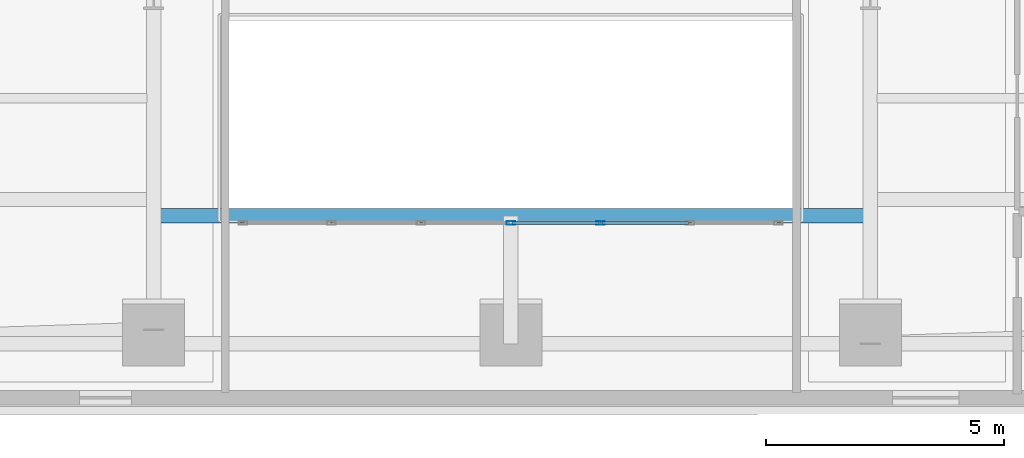
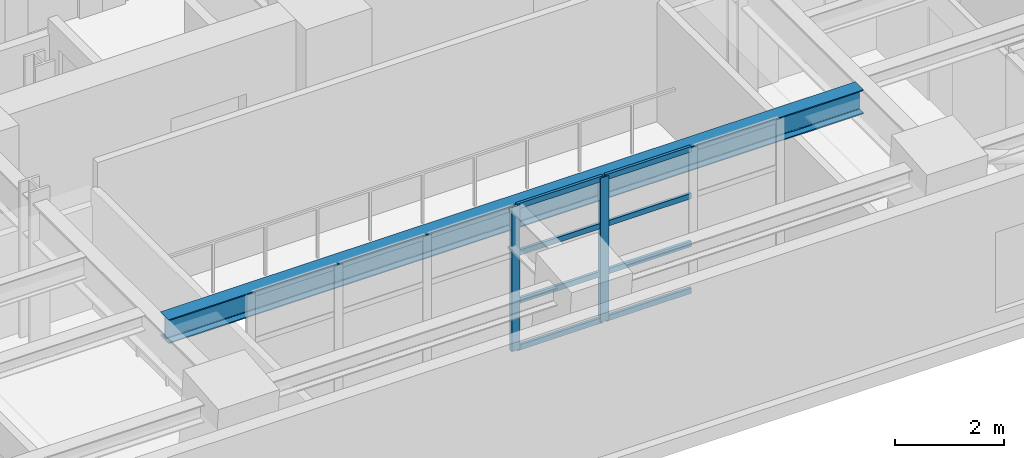
# One storey, part 3 of 16: 10 members, 1 beam, 1 element without a shape of its own.
"""IFC4 building model written with IfcOpenShell, lengths in metres."""

from ifc_helpers import new_model, si_unit, direction, frame, origin, origin_2d, place, context, subcontext, project, spatial, hollow_rectangle, i_section, extrude, material, layer, layer_set, material_profile, profile_set, type_object, element, aggregate, save


model = new_model("IFC4")

# Units and contexts
model_context = context("Model", 3, precision=1e-05, world=origin(), true_north=direction((0.0, 1.0)))
body_context = subcontext(model_context, "Body", "Model", "MODEL_VIEW")
ifc_project = project(units=[si_unit("LENGTHUNIT", "METRE"), si_unit("AREAUNIT", "SQUARE_METRE"), si_unit("VOLUMEUNIT", "CUBIC_METRE"), si_unit("PLANEANGLEUNIT", "RADIAN"), si_unit("MASSUNIT", "GRAM", prefix="KILO")], contexts=[model_context])

# Site, building, storey
site_placement = place(None, origin())
site = spatial("IfcSite", under=ifc_project, at=site_placement, CompositionType="ELEMENT")
building_placement = place(site_placement, origin())
building = spatial("IfcBuilding", under=site, at=building_placement, Name="Zarnavel Station Tower", CompositionType="ELEMENT")
storey_placement = place(building_placement, frame((0.0, 0.0, 86.300048828125)))
storey = spatial("IfcBuildingStorey", under=building, at=storey_placement, Name="L23", CompositionType="ELEMENT", Elevation=86.300048828125)

# Curtain wall, members
ifc_material_1 = material(Name="Aluminium Dark Anodised and Solar-Control Glass", Category="aluminium")
ifc_layer = layer(ifc_material_1, 0.179931640625)
ifc_layer_set = layer_set([ifc_layer], Name="CWS3")
curtain_wall_type = type_object("IfcCurtainWallType", Name="CWS3", PredefinedType="NOTDEFINED", material=ifc_layer_set)
curtain_wall_placement = place(storey_placement, origin())
curtain_wall = element("IfcCurtainWall", 1, at=curtain_wall_placement, inside=storey, type_object=curtain_wall_type, Name="L23 Curtain Wall CWS3-L23-AS", PredefinedType="NOTDEFINED")
ifc_material_2 = material(Name="Steel S355J2 (Black Fluoropolymer Coated)", Category="steel")
ifc_material_profile_1 = material_profile(ifc_material_2, hollow_rectangle(XDim=0.080078125, YDim=0.179931640625, WallThickness=0.00634765625, at=origin_2d()), Name="RHS180x80x6.3")
ifc_profile_set_1 = profile_set([ifc_material_profile_1], Name="Steel S355J2 (Black Fluoropolymer Coated)")
member_type_1 = type_object("IfcMemberType", Name="CWS3_MUL", PredefinedType="MULLION", material=ifc_profile_set_1)
member_1_placement = place(storey_placement, frame((28.800048828125, 20.64990234375, 0.0), z_axis=(0.0, 0.0, 1.0), x_axis=(0.0, 1.0, 0.0)))
member_1 = element("IfcMember", 2, at=member_1_placement, type_object=member_type_1, Name="CW3 mullion 4", PredefinedType="MULLION", context=body_context, shape_type="SweptSolid", body=[
    extrude(hollow_rectangle(XDim=0.080078125, YDim=0.179931640625, WallThickness=0.00634765625, at=origin_2d()), origin(), (0.0, 0.0, 1.0), 3.239990234375),
])
member_2_placement = place(storey_placement, frame((30.683349609375, 20.64990234375, 0.0), z_axis=(0.0, 0.0, 1.0), x_axis=(0.0, 1.0, 0.0)))
member_2 = element("IfcMember", 3, at=member_2_placement, type_object=member_type_1, Name="CW3 mullion 5", PredefinedType="MULLION", context=body_context, shape_type="SweptSolid", body=[
    extrude(hollow_rectangle(XDim=0.080078125, YDim=0.179931640625, WallThickness=0.00634765625, at=origin_2d()), origin(), (0.0, 0.0, 1.0), 3.239990234375),
])
ifc_material_3 = material(Name="Steel S355J2 (Black Fluoropolymer Coated)", Category="steel")
ifc_material_profile_2 = material_profile(ifc_material_3, hollow_rectangle(XDim=0.06005859375, YDim=0.1201171875, WallThickness=0.0048828125, at=origin_2d()), Name="RHS120x60x5")
ifc_profile_set_2 = profile_set([ifc_material_profile_2], Name="Steel S355J2 (Black Fluoropolymer Coated)")
member_type_2 = type_object("IfcMemberType", Name="CWS3_TRN", PredefinedType="USERDEFINED", material=ifc_profile_set_2)
member_3_placement = place(storey_placement, frame((28.830078125, 20.64990234375, 0.030029296875), z_axis=(1.0, 0.0, 0.0), x_axis=(0.0, 1.0, 0.0)))
member_3 = element("IfcMember", 4, at=member_3_placement, type_object=member_type_2, Name="CW3 transom 4.1", ObjectType="TRANSOM", PredefinedType="USERDEFINED", context=body_context, shape_type="SweptSolid", body=[
    extrude(hollow_rectangle(XDim=0.06005859375, YDim=0.1201171875, WallThickness=0.0048828125, at=origin_2d()), origin(), (0.0, 0.0, 1.0), 1.8232421875),
])
member_4_placement = place(storey_placement, frame((28.830078125, 20.64990234375, 1.079833984375), z_axis=(1.0, 0.0, 0.0), x_axis=(0.0, 1.0, 0.0)))
member_4 = element("IfcMember", 5, at=member_4_placement, type_object=member_type_2, Name="CW3 transom 4.2", ObjectType="TRANSOM", PredefinedType="USERDEFINED", context=body_context, shape_type="SweptSolid", body=[
    extrude(hollow_rectangle(XDim=0.06005859375, YDim=0.1201171875, WallThickness=0.0048828125, at=origin_2d()), origin(), (0.0, 0.0, 1.0), 1.8232421875),
])
member_5_placement = place(storey_placement, frame((28.830078125, 20.64990234375, 2.159912109375), z_axis=(1.0, 0.0, 0.0), x_axis=(0.0, 1.0, 0.0)))
member_5 = element("IfcMember", 6, at=member_5_placement, type_object=member_type_2, Name="CW3 transom 4.3", ObjectType="TRANSOM", PredefinedType="USERDEFINED", context=body_context, shape_type="SweptSolid", body=[
    extrude(hollow_rectangle(XDim=0.06005859375, YDim=0.1201171875, WallThickness=0.0048828125, at=origin_2d()), origin(), (0.0, 0.0, 1.0), 1.8232421875),
])
member_6_placement = place(storey_placement, frame((28.830078125, 20.64990234375, 3.2099609375), z_axis=(1.0, 0.0, 0.0), x_axis=(0.0, 1.0, 0.0)))
member_6 = element("IfcMember", 7, at=member_6_placement, type_object=member_type_2, Name="CW3 transom 4.4", ObjectType="TRANSOM", PredefinedType="USERDEFINED", context=body_context, shape_type="SweptSolid", body=[
    extrude(hollow_rectangle(XDim=0.06005859375, YDim=0.1201171875, WallThickness=0.0048828125, at=origin_2d()), origin(), (0.0, 0.0, 1.0), 1.8232421875),
])
member_7_placement = place(storey_placement, frame((30.71337890625, 20.64990234375, 0.030029296875), z_axis=(1.0, 0.0, 0.0), x_axis=(0.0, 1.0, 0.0)))
member_7 = element("IfcMember", 8, at=member_7_placement, type_object=member_type_2, Name="CW3 transom 5.1", ObjectType="TRANSOM", PredefinedType="USERDEFINED", context=body_context, shape_type="SweptSolid", body=[
    extrude(hollow_rectangle(XDim=0.06005859375, YDim=0.1201171875, WallThickness=0.0048828125, at=origin_2d()), origin(), (0.0, 0.0, 1.0), 1.8232421875),
])
member_8_placement = place(storey_placement, frame((30.71337890625, 20.64990234375, 1.079833984375), z_axis=(1.0, 0.0, 0.0), x_axis=(0.0, 1.0, 0.0)))
member_8 = element("IfcMember", 9, at=member_8_placement, type_object=member_type_2, Name="CW3 transom 5.2", ObjectType="TRANSOM", PredefinedType="USERDEFINED", context=body_context, shape_type="SweptSolid", body=[
    extrude(hollow_rectangle(XDim=0.06005859375, YDim=0.1201171875, WallThickness=0.0048828125, at=origin_2d()), origin(), (0.0, 0.0, 1.0), 1.8232421875),
])
member_9_placement = place(storey_placement, frame((30.71337890625, 20.64990234375, 2.159912109375), z_axis=(1.0, 0.0, 0.0), x_axis=(0.0, 1.0, 0.0)))
member_9 = element("IfcMember", 10, at=member_9_placement, type_object=member_type_2, Name="CW3 transom 5.3", ObjectType="TRANSOM", PredefinedType="USERDEFINED", context=body_context, shape_type="SweptSolid", body=[
    extrude(hollow_rectangle(XDim=0.06005859375, YDim=0.1201171875, WallThickness=0.0048828125, at=origin_2d()), origin(), (0.0, 0.0, 1.0), 1.8232421875),
])
member_10_placement = place(storey_placement, frame((30.71337890625, 20.64990234375, 3.2099609375), z_axis=(1.0, 0.0, 0.0), x_axis=(0.0, 1.0, 0.0)))
member_10 = element("IfcMember", 11, at=member_10_placement, type_object=member_type_2, Name="CW3 transom 5.4", ObjectType="TRANSOM", PredefinedType="USERDEFINED", context=body_context, shape_type="SweptSolid", body=[
    extrude(hollow_rectangle(XDim=0.06005859375, YDim=0.1201171875, WallThickness=0.0048828125, at=origin_2d()), origin(), (0.0, 0.0, 1.0), 1.8232421875),
])
aggregate(curtain_wall, [member_1, member_2, member_3, member_4, member_5, member_6, member_7, member_8, member_9, member_10])

# Beam
ifc_material_4 = material(Name="Steel S355J2", Category="steel")
ifc_material_profile_3 = material_profile(ifc_material_4, i_section(OverallWidth=0.300048828125, OverallDepth=0.5400390625, WebThickness=0.012451171875, FlangeThickness=0.02392578125, FilletRadius=0.027099609375, at=origin_2d()), Name="HEA550")
ifc_profile_set_3 = profile_set([ifc_material_profile_3], Name="Steel S355J2")
beam_type = type_object("IfcBeamType", Name="FB_HEA550", PredefinedType="BEAM", material=ifc_profile_set_3)
beam_placement = place(storey_placement, frame((21.445068359375, 20.800048828125, 2.969970703125), z_axis=(1.0, 0.0, 0.0), x_axis=(0.0, 1.0, 0.0)))
element("IfcBeam", 12, at=beam_placement, inside=storey, type_object=beam_type, Name="L23 Atrium South Edge Girder", PredefinedType="BEAM", context=body_context, shape_type="SweptSolid", body=[
    extrude(i_section(OverallWidth=0.300048828125, OverallDepth=0.5400390625, WebThickness=0.012451171875, FlangeThickness=0.02392578125, FilletRadius=0.027099609375, at=origin_2d()), origin(), (0.0, 0.0, 1.0), 14.760009765625),
])

save(model, "model.ifc")
